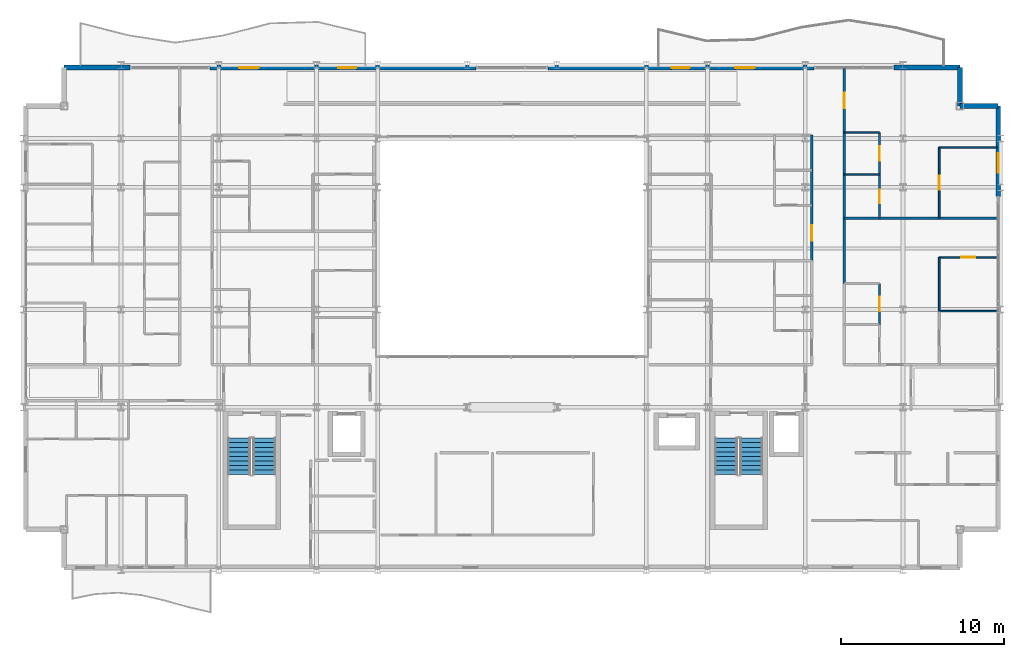
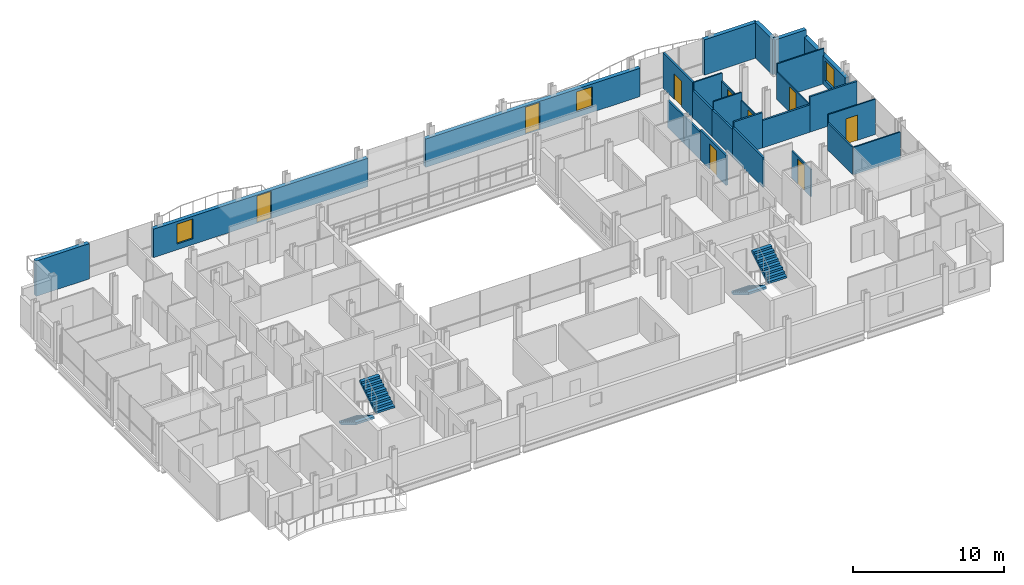
# One storey, part 36 of 40: 27 walls, 9 doors, 4 stair flights, 3 windows, 12 openings, 2 elements without a shape of their own.
"""IFC4 building model written with IfcOpenShell, lengths in metres."""

from ifc_helpers import new_model, si_unit, direction, frame, frame_2d, origin, place, context, subcontext, project, spatial, polyline, rectangle, outline, extrude, material, layer, layer_set, type_object, element, fill, aggregate, save


model = new_model("IFC4")

# Units and contexts
model_context = context("Model", 3, precision=1e-05, world=origin(), true_north=direction((0.0, 1.0)))
body_context = subcontext(model_context, "Body", "Model", "MODEL_VIEW")
ifc_project = project(units=[si_unit("LENGTHUNIT", "METRE"), si_unit("AREAUNIT", "SQUARE_METRE"), si_unit("VOLUMEUNIT", "CUBIC_METRE"), si_unit("PLANEANGLEUNIT", "RADIAN"), si_unit("MASSUNIT", "GRAM", prefix="KILO")], contexts=[model_context])

# Site, building, storey
site_placement = place(None, origin())
site = spatial("IfcSite", under=ifc_project, at=site_placement, CompositionType="ELEMENT")
building_placement = place(site_placement, origin())
building = spatial("IfcBuilding", under=site, at=building_placement, Name="Brevholm Reach", CompositionType="ELEMENT")
storey_placement = place(building_placement, frame((0.0, 0.0, 131.39990234375)))
storey = spatial("IfcBuildingStorey", under=building, at=storey_placement, Name="L39", CompositionType="ELEMENT", Elevation=131.39990234375)

# Walls
ifc_material_1 = material(Name="Concrete C40/50", Category="concrete")
ifc_layer_1 = layer(ifc_material_1, 0.300048828125)
ifc_layer_set_1 = layer_set([ifc_layer_1], Name="Concrete C40/50")
wall_type_1 = type_object("IfcWallType", Name="WAL-EXT-300", PredefinedType="STANDARD", material=ifc_layer_set_1)
for number, where, z_axis, x_axis, name in (
    (1, (59.85009765625, 28.5, 0.0), (0.0, 0.0, 1.0), (-1.0, 0.0, 0.0), "L39 Facade Wall WAL-L39-CNE1"),
    (2, (57.5, 28.5, 0.0), (0.0, 0.0, 1.0), (0.0, 1.0, 0.0), "L39 Facade Wall WAL-L39-CNE2"),
):
    element("IfcWall", number, at=place(storey_placement, frame(where, z_axis=z_axis, x_axis=x_axis)), inside=storey, type_object=wall_type_1, Name=name, PredefinedType="STANDARD", context=body_context, shape_type="SweptSolid", body=[
        extrude(rectangle(XDim=2.35009765625, YDim=0.300048828125, at=frame_2d((1.175048828125, 0.0))), origin(), (0.0, 0.0, 1.0), 2.85009765625),
    ])

# Wall, opening, window
wall_1_placement = place(storey_placement, frame((59.85009765625, 22.949951171875, 0.0), z_axis=(0.0, 0.0, 1.0), x_axis=(0.0, 1.0, 0.0)))
wall_1 = element("IfcWall", 3, at=wall_1_placement, inside=storey, type_object=wall_type_1, Name="L39 Facade Wall WAL-L39-E-N", PredefinedType="STANDARD", context=body_context, shape_type="SweptSolid", body=[
    extrude(rectangle(XDim=5.550048828125, YDim=0.300048828125, at=frame_2d((2.77490234375, 0.0))), origin(), (0.0, 0.0, 1.0), 2.28564453125),
])
opening_1_placement = place(wall_1_placement, frame((1.449951171875, 0.0, 0.465087890625)))
opening_1 = element("IfcOpeningElement", 4, at=opening_1_placement, cuts=wall_1, Name="Opening WN-08", PredefinedType="OPENING", context=body_context, shape_type="SweptSolid", body=[
    extrude(rectangle(XDim=1.199951171875, YDim=1.60009765625, at=frame_2d((0.60009765625, 0.800048828125))), frame((0.0, 0.159912109375, 0.0), z_axis=(0.0, -1.0, 0.0), x_axis=(1.0, 0.0, 0.0)), (0.0, 0.0, 1.0), 0.320068359375),
])
ifc_material_2 = material(Name="Dark Anodised Aluminium and Solar-Control IGU Glass", Category="aluminium")
window_type = type_object("IfcWindowType", Name="WIN-RES-1200", PartitioningType="SINGLE_PANEL", PredefinedType="WINDOW", material=ifc_material_2)
window_1_placement = place(opening_1_placement, origin())
window_1 = element("IfcWindow", 5, at=window_1_placement, inside=storey, type_object=window_type, Name="L39 Window WIN-L39-EN-1", OverallHeight=1.60009765625, OverallWidth=1.199951171875, PartitioningType="SINGLE_PANEL", PredefinedType="WINDOW", context=body_context, shape_type="SweptSolid", body=[
    extrude(rectangle(XDim=1.199951171875, YDim=1.60009765625, at=frame_2d((0.60009765625, 0.800048828125))), frame((0.0, 0.030029296875, 0.0), z_axis=(0.0, -1.0, 0.0), x_axis=(1.0, 0.0, 0.0)), (0.0, 0.0, 1.0), 0.06005859375),
])
fill(opening_1, window_1)

# Walls
for number, where, z_axis, x_axis, name in (
    (6, (2.5, 30.85009765625, 0.0), (0.0, 0.0, 1.0), (1.0, 0.0, 0.0), "L39 Facade Wall WAL-L39-NP-W0"),
    (7, (53.449951171875, 30.85009765625, 0.0), (0.0, 0.0, 1.0), (1.0, 0.0, 0.0), "L39 Facade Wall WAL-L39-NP-E0"),
):
    element("IfcWall", number, at=place(storey_placement, frame(where, z_axis=z_axis, x_axis=x_axis)), inside=storey, type_object=wall_type_1, Name=name, PredefinedType="STANDARD", context=body_context, shape_type="SweptSolid", body=[
        extrude(rectangle(XDim=4.050048828125, YDim=0.300048828125, at=frame_2d((2.02490234375, 0.0))), origin(), (0.0, 0.0, 1.0), 2.85009765625),
    ])

# Wall, openings, door, window
wall_2_placement = place(storey_placement, frame((11.449951171875, 30.85009765625, 0.0), z_axis=(0.0, 0.0, 1.0), x_axis=(1.0, 0.0, 0.0)))
wall_2 = element("IfcWall", 8, at=wall_2_placement, inside=storey, type_object=wall_type_1, Name="L39 Facade Wall WAL-L39-NP-WL", PredefinedType="STANDARD", context=body_context, shape_type="SweptSolid", body=[
    extrude(rectangle(XDim=16.35009765625, YDim=0.300048828125, at=frame_2d((8.175048828125, 0.0))), origin(), (0.0, 0.0, 1.0), 2.28564453125),
])
opening_2_placement = place(wall_2_placement, frame((7.89794921875, 0.0, 0.0)))
opening_2 = element("IfcOpeningElement", 9, at=opening_2_placement, cuts=wall_2, Name="Opening BD-01", PredefinedType="OPENING", context=body_context, shape_type="SweptSolid", body=[
    extrude(rectangle(XDim=1.10009765625, YDim=2.199951171875, at=frame_2d((0.550048828125, 1.10009765625))), frame((0.0, 0.159912109375, 0.0), z_axis=(0.0, -1.0, 0.0), x_axis=(1.0, 0.0, 0.0)), (0.0, 0.0, 1.0), 0.320068359375),
])
opening_3_placement = place(wall_2_placement, frame((1.800048828125, 0.0, 0.465087890625)))
opening_3 = element("IfcOpeningElement", 10, at=opening_3_placement, cuts=wall_2, Name="Opening WN-08", PredefinedType="OPENING", context=body_context, shape_type="SweptSolid", body=[
    extrude(rectangle(XDim=1.199951171875, YDim=1.60009765625, at=frame_2d((0.60009765625, 0.800048828125))), frame((0.0, 0.159912109375, 0.0), z_axis=(0.0, -1.0, 0.0), x_axis=(1.0, 0.0, 0.0)), (0.0, 0.0, 1.0), 0.320068359375),
])
ifc_material_3 = material(Name="Dark Anodised Aluminium and Triple-Glazed Glass", Category="aluminium")
door_type_1 = type_object("IfcDoorType", Name="DOR-BALC-1100", OperationType="NOTDEFINED", PredefinedType="DOOR", material=ifc_material_3)
door_1_placement = place(opening_2_placement, origin())
door_1 = element("IfcDoor", 11, at=door_1_placement, inside=storey, type_object=door_type_1, Name="L39 Exterior Door DOR-L39-BL-NW", OperationType="SINGLE_SWING_LEFT", OverallHeight=2.199951171875, OverallWidth=1.10009765625, PredefinedType="DOOR", context=body_context, shape_type="SweptSolid", body=[
    extrude(rectangle(XDim=1.10009765625, YDim=2.199951171875, at=frame_2d((0.550048828125, 1.10009765625))), frame((0.0, 0.02490234375, 0.0), z_axis=(0.0, -1.0, 0.0), x_axis=(1.0, 0.0, 0.0)), (0.0, 0.0, 1.0), 0.050048828125),
])
fill(opening_2, door_1)
window_2_placement = place(opening_3_placement, origin())
window_2 = element("IfcWindow", 12, at=window_2_placement, inside=storey, type_object=window_type, Name="L39 Window WIN-L39-NP-WL1", OverallHeight=1.60009765625, OverallWidth=1.199951171875, PartitioningType="SINGLE_PANEL", PredefinedType="WINDOW", context=body_context, shape_type="SweptSolid", body=[
    extrude(rectangle(XDim=1.199951171875, YDim=1.60009765625, at=frame_2d((0.60009765625, 0.800048828125))), frame((0.0, 0.030029296875, 0.0), z_axis=(0.0, -1.0, 0.0), x_axis=(1.0, 0.0, 0.0)), (0.0, 0.0, 1.0), 0.06005859375),
])
fill(opening_3, window_2)

wall_3_placement = place(storey_placement, frame((32.199951171875, 30.85009765625, 0.0), z_axis=(0.0, 0.0, 1.0), x_axis=(1.0, 0.0, 0.0)))
wall_3 = element("IfcWall", 13, at=wall_3_placement, inside=storey, type_object=wall_type_1, Name="L39 Facade Wall WAL-L39-NP-ER", PredefinedType="STANDARD", context=body_context, shape_type="SweptSolid", body=[
    extrude(rectangle(XDim=16.35009765625, YDim=0.300048828125, at=frame_2d((8.175048828125, 0.0))), origin(), (0.0, 0.0, 1.0), 2.28564453125),
])
opening_4_placement = place(wall_3_placement, frame((7.60009765625, 0.0, 0.0)))
opening_4 = element("IfcOpeningElement", 14, at=opening_4_placement, cuts=wall_3, Name="Opening BD-01", PredefinedType="OPENING", context=body_context, shape_type="SweptSolid", body=[
    extrude(rectangle(XDim=1.10009765625, YDim=2.199951171875, at=frame_2d((0.550048828125, 1.10009765625))), frame((0.0, 0.159912109375, 0.0), z_axis=(0.0, -1.0, 0.0), x_axis=(1.0, 0.0, 0.0)), (0.0, 0.0, 1.0), 0.320068359375),
])
opening_5_placement = place(wall_3_placement, frame((11.5, 0.0, 0.465087890625)))
opening_5 = element("IfcOpeningElement", 15, at=opening_5_placement, cuts=wall_3, Name="Opening WN-08", PredefinedType="OPENING", context=body_context, shape_type="SweptSolid", body=[
    extrude(rectangle(XDim=1.199951171875, YDim=1.60009765625, at=frame_2d((0.60009765625, 0.800048828125))), frame((0.0, 0.159912109375, 0.0), z_axis=(0.0, -1.0, 0.0), x_axis=(1.0, 0.0, 0.0)), (0.0, 0.0, 1.0), 0.320068359375),
])
door_2_placement = place(opening_4_placement, origin())
door_2 = element("IfcDoor", 16, at=door_2_placement, inside=storey, type_object=door_type_1, Name="L39 Exterior Door DOR-L39-BL-NE", OperationType="SINGLE_SWING_RIGHT", OverallHeight=2.199951171875, OverallWidth=1.10009765625, PredefinedType="DOOR", context=body_context, shape_type="SweptSolid", body=[
    extrude(rectangle(XDim=1.10009765625, YDim=2.199951171875, at=frame_2d((0.550048828125, 1.10009765625))), frame((0.0, 0.02490234375, 0.0), z_axis=(0.0, -1.0, 0.0), x_axis=(1.0, 0.0, 0.0)), (0.0, 0.0, 1.0), 0.050048828125),
])
fill(opening_4, door_2)
window_3_placement = place(opening_5_placement, origin())
window_3 = element("IfcWindow", 17, at=window_3_placement, inside=storey, type_object=window_type, Name="L39 Window WIN-L39-NP-ER1", OverallHeight=1.60009765625, OverallWidth=1.199951171875, PartitioningType="SINGLE_PANEL", PredefinedType="WINDOW", context=body_context, shape_type="SweptSolid", body=[
    extrude(rectangle(XDim=1.199951171875, YDim=1.60009765625, at=frame_2d((0.60009765625, 0.800048828125))), frame((0.0, 0.030029296875, 0.0), z_axis=(0.0, -1.0, 0.0), x_axis=(1.0, 0.0, 0.0)), (0.0, 0.0, 1.0), 0.06005859375),
])
fill(opening_5, window_3)

# Wall, opening, door
ifc_material_4 = material(Name="Moisture-Resistant Acoustic Gypsum Stud Partition 100 mm", Category="gypsum")
ifc_layer_2 = layer(ifc_material_4, 0.10009765625)
ifc_layer_set_2 = layer_set([ifc_layer_2], Name="Moisture-Resistant Acoustic Gypsum Stud Partition 100 mm")
wall_type_2 = type_object("IfcWallType", Name="WAL-PRT-100", PredefinedType="PARTITIONING", material=ifc_layer_set_2)
wall_4_placement = place(storey_placement, frame((52.56201171875, 15.073974609375, 0.0), z_axis=(0.0, 0.0, 1.0), x_axis=(0.0, 1.0, 0.0)))
wall_4 = element("IfcWall", 18, at=wall_4_placement, inside=storey, type_object=wall_type_2, Name="L39 Internal Partition 141", PredefinedType="PARTITIONING", context=body_context, shape_type="SweptSolid", body=[
    extrude(rectangle(XDim=2.51611328125, YDim=0.10009765625, at=frame_2d((1.258056640625, 0.0))), origin(), (0.0, 0.0, 1.0), 2.204833984375),
])
opening_6_placement = place(wall_4_placement, frame((0.818115234375, 0.0, 0.0)))
opening_6 = element("IfcOpeningElement", 19, at=opening_6_placement, cuts=wall_4, Name="Opening ID-01", PredefinedType="OPENING", context=body_context, shape_type="SweptSolid", body=[
    extrude(rectangle(XDim=0.8798828125, YDim=2.0400390625, at=frame_2d((0.43994140625, 1.02001953125))), frame((0.0, 0.06005859375, 0.0), z_axis=(0.0, -1.0, 0.0), x_axis=(1.0, 0.0, 0.0)), (0.0, 0.0, 1.0), 0.1201171875),
])
ifc_material_5 = material(Name="Lacquered Ash Solid-Core Acoustic Internal Door", Category="timber")
door_type_2 = type_object("IfcDoorType", Name="DOR-INT-880", OperationType="NOTDEFINED", PredefinedType="DOOR", material=ifc_material_5)
door_3_placement = place(opening_6_placement, origin())
door_3 = element("IfcDoor", 20, at=door_3_placement, inside=storey, type_object=door_type_2, Name="L39 Internal Door 055", OperationType="SINGLE_SWING_RIGHT", OverallHeight=2.0400390625, OverallWidth=0.8798828125, PredefinedType="DOOR", context=body_context, shape_type="SweptSolid", body=[
    extrude(rectangle(XDim=0.8798828125, YDim=2.0400390625, at=frame_2d((0.43994140625, 1.02001953125))), frame((0.0, 0.02490234375, 0.0), z_axis=(0.0, -1.0, 0.0), x_axis=(1.0, 0.0, 0.0)), (0.0, 0.0, 1.0), 0.050048828125),
])
fill(opening_6, door_3)

# Wall
wall_5_placement = place(storey_placement, frame((56.22802734375, 15.89990234375, 0.0), z_axis=(0.0, 0.0, 1.0), x_axis=(1.0, 0.0, 0.0)))
element("IfcWall", 21, at=wall_5_placement, inside=storey, type_object=wall_type_2, Name="L39 Internal Partition 143", PredefinedType="PARTITIONING", context=body_context, shape_type="SweptSolid", body=[
    extrude(rectangle(XDim=3.572021484375, YDim=0.10009765625, at=frame_2d((1.7861328125, 0.0))), origin(), (0.0, 0.0, 1.0), 2.204833984375),
])

# Wall, opening, door
wall_6_placement = place(storey_placement, frame((56.22802734375, 19.199951171875, 0.0), z_axis=(0.0, 0.0, 1.0), x_axis=(1.0, 0.0, 0.0)))
wall_6 = element("IfcWall", 22, at=wall_6_placement, inside=storey, type_object=wall_type_2, Name="L39 Internal Partition 145", PredefinedType="PARTITIONING", context=body_context, shape_type="SweptSolid", body=[
    extrude(rectangle(XDim=3.572021484375, YDim=0.10009765625, at=frame_2d((1.7861328125, 0.0))), origin(), (0.0, 0.0, 1.0), 2.85009765625),
])
opening_7_placement = place(wall_6_placement, frame((1.345947265625, 0.0, 0.0)))
opening_7 = element("IfcOpeningElement", 23, at=opening_7_placement, cuts=wall_6, Name="Opening ID-01", PredefinedType="OPENING", context=body_context, shape_type="SweptSolid", body=[
    extrude(rectangle(XDim=0.8798828125, YDim=2.0400390625, at=frame_2d((0.43994140625, 1.02001953125))), frame((0.0, 0.06005859375, 0.0), z_axis=(0.0, -1.0, 0.0), x_axis=(1.0, 0.0, 0.0)), (0.0, 0.0, 1.0), 0.1201171875),
])
door_4_placement = place(opening_7_placement, origin())
door_4 = element("IfcDoor", 24, at=door_4_placement, inside=storey, type_object=door_type_2, Name="L39 Internal Door 057", OperationType="SINGLE_SWING_RIGHT", OverallHeight=2.0400390625, OverallWidth=0.8798828125, PredefinedType="DOOR", context=body_context, shape_type="SweptSolid", body=[
    extrude(rectangle(XDim=0.8798828125, YDim=2.0400390625, at=frame_2d((0.43994140625, 1.02001953125))), frame((0.0, 0.02490234375, 0.0), z_axis=(0.0, -1.0, 0.0), x_axis=(1.0, 0.0, 0.0)), (0.0, 0.0, 1.0), 0.050048828125),
])
fill(opening_7, door_4)

# Walls
wall_7_placement = place(storey_placement, frame((56.22802734375, 15.904052734375, 0.0), z_axis=(0.0, 0.0, 1.0), x_axis=(0.0, 1.0, 0.0)))
element("IfcWall", 25, at=wall_7_placement, inside=storey, type_object=wall_type_2, Name="L39 Internal Partition 146", PredefinedType="PARTITIONING", context=body_context, shape_type="SweptSolid", body=[
    extrude(rectangle(XDim=3.2958984375, YDim=0.10009765625, at=frame_2d((1.64794921875, 0.0))), origin(), (0.0, 0.0, 1.0), 2.204833984375),
])
wall_8_placement = place(storey_placement, frame((50.404052734375, 24.283935546875, 0.0), z_axis=(0.0, 0.0, 1.0), x_axis=(1.0, 0.0, 0.0)))
element("IfcWall", 26, at=wall_8_placement, inside=storey, type_object=wall_type_2, Name="L39 Internal Partition 150", PredefinedType="PARTITIONING", context=body_context, shape_type="SweptSolid", body=[
    extrude(rectangle(XDim=2.157958984375, YDim=0.10009765625, at=frame_2d((1.0791015625, 0.0))), origin(), (0.0, 0.0, 1.0), 2.85009765625),
])

# Wall, opening, door
wall_9_placement = place(storey_placement, frame((52.56201171875, 21.60400390625, 0.0), z_axis=(0.0, 0.0, 1.0), x_axis=(0.0, 1.0, 0.0)))
wall_9 = element("IfcWall", 27, at=wall_9_placement, inside=storey, type_object=wall_type_2, Name="L39 Internal Partition 151", PredefinedType="PARTITIONING", context=body_context, shape_type="SweptSolid", body=[
    extrude(rectangle(XDim=2.679931640625, YDim=0.10009765625, at=frame_2d((1.33984375, 0.0))), origin(), (0.0, 0.0, 1.0), 2.204833984375),
])
opening_8_placement = place(wall_9_placement, frame((0.929931640625, 0.0, 0.0)))
opening_8 = element("IfcOpeningElement", 28, at=opening_8_placement, cuts=wall_9, Name="Opening ID-03", PredefinedType="OPENING", context=body_context, shape_type="SweptSolid", body=[
    extrude(rectangle(XDim=0.820068359375, YDim=2.02001953125, at=frame_2d((0.41015625, 1.010009765625))), frame((0.0, 0.06005859375, 0.0), z_axis=(0.0, -1.0, 0.0), x_axis=(1.0, 0.0, 0.0)), (0.0, 0.0, 1.0), 0.1201171875),
])
ifc_material_6 = material(Name="Moisture-Resistant Painted Timber Internal Bathroom Door", Category="wood")
door_type_3 = type_object("IfcDoorType", Name="DOR-BATH-820", OperationType="NOTDEFINED", PredefinedType="DOOR", material=ifc_material_6)
door_5_placement = place(opening_8_placement, origin())
door_5 = element("IfcDoor", 29, at=door_5_placement, inside=storey, type_object=door_type_3, Name="L39 Internal Door 058", OperationType="SINGLE_SWING_LEFT", OverallHeight=2.02001953125, OverallWidth=0.820068359375, PredefinedType="DOOR", context=body_context, shape_type="SweptSolid", body=[
    extrude(rectangle(XDim=0.820068359375, YDim=2.02001953125, at=frame_2d((0.41015625, 1.010009765625))), frame((0.0, 0.02490234375, 0.0), z_axis=(0.0, -1.0, 0.0), x_axis=(1.0, 0.0, 0.0)), (0.0, 0.0, 1.0), 0.050048828125),
])
fill(opening_8, door_5)

wall_10_placement = place(storey_placement, frame((52.56201171875, 24.2880859375, 0.0), z_axis=(0.0, 0.0, 1.0), x_axis=(0.0, 1.0, 0.0)))
wall_10 = element("IfcWall", 30, at=wall_10_placement, inside=storey, type_object=wall_type_2, Name="L39 Internal Partition 152", PredefinedType="PARTITIONING", context=body_context, shape_type="SweptSolid", body=[
    extrude(rectangle(XDim=2.572021484375, YDim=0.10009765625, at=frame_2d((1.2861328125, 0.0))), origin(), (0.0, 0.0, 1.0), 2.204833984375),
])
opening_9_placement = place(wall_10_placement, frame((0.845947265625, 0.0, 0.0)))
opening_9 = element("IfcOpeningElement", 31, at=opening_9_placement, cuts=wall_10, Name="Opening ID-01", PredefinedType="OPENING", context=body_context, shape_type="SweptSolid", body=[
    extrude(rectangle(XDim=0.8798828125, YDim=2.0400390625, at=frame_2d((0.43994140625, 1.02001953125))), frame((0.0, 0.06005859375, 0.0), z_axis=(0.0, -1.0, 0.0), x_axis=(1.0, 0.0, 0.0)), (0.0, 0.0, 1.0), 0.1201171875),
])
door_6_placement = place(opening_9_placement, origin())
door_6 = element("IfcDoor", 32, at=door_6_placement, inside=storey, type_object=door_type_2, Name="L39 Internal Door 059", OperationType="SINGLE_SWING_RIGHT", OverallHeight=2.0400390625, OverallWidth=0.8798828125, PredefinedType="DOOR", context=body_context, shape_type="SweptSolid", body=[
    extrude(rectangle(XDim=0.8798828125, YDim=2.0400390625, at=frame_2d((0.43994140625, 1.02001953125))), frame((0.0, 0.02490234375, 0.0), z_axis=(0.0, -1.0, 0.0), x_axis=(1.0, 0.0, 0.0)), (0.0, 0.0, 1.0), 0.050048828125),
])
fill(opening_9, door_6)

# Walls
wall_11_placement = place(storey_placement, frame((50.404052734375, 26.860107421875, 0.0), z_axis=(0.0, 0.0, 1.0), x_axis=(1.0, 0.0, 0.0)))
element("IfcWall", 33, at=wall_11_placement, inside=storey, type_object=wall_type_2, Name="L39 Internal Partition 153", PredefinedType="PARTITIONING", context=body_context, shape_type="SweptSolid", body=[
    extrude(rectangle(XDim=2.157958984375, YDim=0.10009765625, at=frame_2d((1.0791015625, 0.0))), origin(), (0.0, 0.0, 1.0), 2.85009765625),
])
wall_12_placement = place(storey_placement, frame((56.22802734375, 25.949951171875, 0.0), z_axis=(0.0, 0.0, 1.0), x_axis=(1.0, 0.0, 0.0)))
element("IfcWall", 34, at=wall_12_placement, inside=storey, type_object=wall_type_2, Name="L39 Internal Partition 154", PredefinedType="PARTITIONING", context=body_context, shape_type="SweptSolid", body=[
    extrude(rectangle(XDim=3.572021484375, YDim=0.10009765625, at=frame_2d((1.7861328125, 0.0))), origin(), (0.0, 0.0, 1.0), 2.85009765625),
])

# Wall, opening, door
wall_13_placement = place(storey_placement, frame((56.22802734375, 21.60400390625, 0.0), z_axis=(0.0, 0.0, 1.0), x_axis=(0.0, 1.0, 0.0)))
wall_13 = element("IfcWall", 35, at=wall_13_placement, inside=storey, type_object=wall_type_2, Name="L39 Internal Partition 155", PredefinedType="PARTITIONING", context=body_context, shape_type="SweptSolid", body=[
    extrude(rectangle(XDim=4.345947265625, YDim=0.10009765625, at=frame_2d((2.1728515625, 0.0))), origin(), (0.0, 0.0, 1.0), 2.204833984375),
])
opening_10_placement = place(wall_13_placement, frame((1.73291015625, 0.0, 0.0)))
opening_10 = element("IfcOpeningElement", 36, at=opening_10_placement, cuts=wall_13, Name="Opening ID-01", PredefinedType="OPENING", context=body_context, shape_type="SweptSolid", body=[
    extrude(rectangle(XDim=0.8798828125, YDim=2.0400390625, at=frame_2d((0.43994140625, 1.02001953125))), frame((0.0, 0.06005859375, 0.0), z_axis=(0.0, -1.0, 0.0), x_axis=(1.0, 0.0, 0.0)), (0.0, 0.0, 1.0), 0.1201171875),
])
door_7_placement = place(opening_10_placement, origin())
door_7 = element("IfcDoor", 37, at=door_7_placement, inside=storey, type_object=door_type_2, Name="L39 Internal Door 060", OperationType="SINGLE_SWING_LEFT", OverallHeight=2.0400390625, OverallWidth=0.8798828125, PredefinedType="DOOR", context=body_context, shape_type="SweptSolid", body=[
    extrude(rectangle(XDim=0.8798828125, YDim=2.0400390625, at=frame_2d((0.43994140625, 1.02001953125))), frame((0.0, 0.02490234375, 0.0), z_axis=(0.0, -1.0, 0.0), x_axis=(1.0, 0.0, 0.0)), (0.0, 0.0, 1.0), 0.050048828125),
])
fill(opening_10, door_7)

# Walls
ifc_material_7 = material(Name="Twin-Stud Acoustic Fire-Rated Gypsum Partition 140 mm", Category="gypsum")
ifc_layer_3 = layer(ifc_material_7, 0.139892578125)
ifc_layer_set_3 = layer_set([ifc_layer_3], Name="Twin-Stud Acoustic Fire-Rated Gypsum Partition 140 mm")
wall_type_3 = type_object("IfcWallType", Name="WAL-PRT-140", PredefinedType="PARTITIONING", material=ifc_layer_set_3)
wall_14_placement = place(storey_placement, frame((48.39990234375, 24.538818359375, 0.0), z_axis=(0.0, 0.0, 1.0), x_axis=(0.0, 1.0, 0.0)))
element("IfcWall", 38, at=wall_14_placement, inside=storey, type_object=wall_type_3, Name="L39 Internal Partition 050", PredefinedType="PARTITIONING", context=body_context, shape_type="SweptSolid", body=[
    extrude(rectangle(XDim=2.16845703125, YDim=0.139892578125, at=frame_2d((1.084228515625, 0.0))), origin(), (0.0, 0.0, 1.0), 2.204833984375),
])
wall_15_placement = place(storey_placement, frame((48.39990234375, 22.3828125, 0.0), z_axis=(0.0, 0.0, 1.0), x_axis=(0.0, 1.0, 0.0)))
element("IfcWall", 39, at=wall_15_placement, inside=storey, type_object=wall_type_3, Name="L39 Internal Partition 051", PredefinedType="PARTITIONING", context=body_context, shape_type="SweptSolid", body=[
    extrude(rectangle(XDim=2.174560546875, YDim=0.139892578125, at=frame_2d((1.08740234375, 0.0))), origin(), (0.0, 0.0, 1.0), 2.204833984375),
])

# Wall, opening, door
wall_16_placement = place(storey_placement, frame((48.39990234375, 18.99267578125, 0.0), z_axis=(0.0, 0.0, 1.0), x_axis=(0.0, 1.0, 0.0)))
wall_16 = element("IfcWall", 40, at=wall_16_placement, inside=storey, type_object=wall_type_3, Name="L39 Internal Partition 052", PredefinedType="PARTITIONING", context=body_context, shape_type="SweptSolid", body=[
    extrude(rectangle(XDim=3.40869140625, YDim=0.139892578125, at=frame_2d((1.704345703125, 0.0))), origin(), (0.0, 0.0, 1.0), 2.418701171875),
])
opening_11_placement = place(wall_16_placement, frame((1.229248046875, 0.0, 0.0)))
opening_11 = element("IfcOpeningElement", 41, at=opening_11_placement, cuts=wall_16, Name="Opening ID-30", PredefinedType="OPENING", context=body_context, shape_type="SweptSolid", body=[
    extrude(rectangle(XDim=0.949951171875, YDim=2.050048828125, at=frame_2d((0.47509765625, 1.02490234375))), frame((0.0, 0.079833984375, 0.0), z_axis=(0.0, -1.0, 0.0), x_axis=(1.0, 0.0, 0.0)), (0.0, 0.0, 1.0), 0.159912109375),
])
ifc_material_8 = material(Name="European Oak Veneered Solid-Core Fire Entrance Door", Category="timber")
door_type_4 = type_object("IfcDoorType", Name="DOR-FLT-FD30S", OperationType="NOTDEFINED", PredefinedType="DOOR", material=ifc_material_8)
door_8_placement = place(opening_11_placement, origin())
door_8 = element("IfcDoor", 42, at=door_8_placement, inside=storey, type_object=door_type_4, Name="L39 Internal Door 021", OperationType="SINGLE_SWING_RIGHT", OverallHeight=2.050048828125, OverallWidth=0.949951171875, PredefinedType="DOOR", context=body_context, shape_type="SweptSolid", body=[
    extrude(rectangle(XDim=0.949951171875, YDim=2.050048828125, at=frame_2d((0.47509765625, 1.02490234375))), frame((0.0, 0.02490234375, 0.0), z_axis=(0.0, -1.0, 0.0), x_axis=(1.0, 0.0, 0.0)), (0.0, 0.0, 1.0), 0.050048828125),
])
fill(opening_11, door_8)

# Walls
wall_17_placement = place(storey_placement, frame((50.39990234375, 17.582763671875, 0.0), z_axis=(0.0, 0.0, 1.0), x_axis=(0.0, 1.0, 0.0)))
element("IfcWall", 43, at=wall_17_placement, inside=storey, type_object=wall_type_3, Name="L39 Internal Partition 055", PredefinedType="PARTITIONING", context=body_context, shape_type="SweptSolid", body=[
    extrude(rectangle(XDim=4.028564453125, YDim=0.139892578125, at=frame_2d((2.01416015625, 0.0))), origin(), (0.0, 0.0, 1.0), 2.418701171875),
])
wall_18_placement = place(storey_placement, frame((50.39990234375, 21.5927734375, 0.0), z_axis=(0.0, 0.0, 1.0), x_axis=(0.0, 1.0, 0.0)))
element("IfcWall", 44, at=wall_18_placement, inside=storey, type_object=wall_type_3, Name="L39 Internal Partition 056", PredefinedType="PARTITIONING", context=body_context, shape_type="SweptSolid", body=[
    extrude(rectangle(XDim=2.70263671875, YDim=0.139892578125, at=frame_2d((1.351318359375, 0.0))), origin(), (0.0, 0.0, 1.0), 2.204833984375),
])
wall_19_placement = place(storey_placement, frame((50.39990234375, 24.276611328125, 0.0), z_axis=(0.0, 0.0, 1.0), x_axis=(0.0, 1.0, 0.0)))
element("IfcWall", 45, at=wall_19_placement, inside=storey, type_object=wall_type_3, Name="L39 Internal Partition 057", PredefinedType="PARTITIONING", context=body_context, shape_type="SweptSolid", body=[
    extrude(rectangle(XDim=2.5947265625, YDim=0.139892578125, at=frame_2d((1.29736328125, 0.0))), origin(), (0.0, 0.0, 1.0), 2.204833984375),
])

# Wall, opening, door
wall_20_placement = place(storey_placement, frame((50.39990234375, 26.852783203125, 0.0), z_axis=(0.0, 0.0, 1.0), x_axis=(0.0, 1.0, 0.0)))
wall_20 = element("IfcWall", 46, at=wall_20_placement, inside=storey, type_object=wall_type_3, Name="L39 Internal Partition 058", PredefinedType="PARTITIONING", context=body_context, shape_type="SweptSolid", body=[
    extrude(rectangle(XDim=3.947265625, YDim=0.139892578125, at=frame_2d((1.9736328125, 0.0))), origin(), (0.0, 0.0, 1.0), 2.85009765625),
])
opening_12_placement = place(wall_20_placement, frame((1.498779296875, 0.0, 0.0)))
opening_12 = element("IfcOpeningElement", 47, at=opening_12_placement, cuts=wall_20, Name="Opening ID-30", PredefinedType="OPENING", context=body_context, shape_type="SweptSolid", body=[
    extrude(rectangle(XDim=0.949951171875, YDim=2.050048828125, at=frame_2d((0.47509765625, 1.02490234375))), frame((0.0, 0.079833984375, 0.0), z_axis=(0.0, -1.0, 0.0), x_axis=(1.0, 0.0, 0.0)), (0.0, 0.0, 1.0), 0.159912109375),
])
door_9_placement = place(opening_12_placement, origin())
door_9 = element("IfcDoor", 48, at=door_9_placement, inside=storey, type_object=door_type_4, Name="L39 Internal Door 022", OperationType="SINGLE_SWING_LEFT", OverallHeight=2.050048828125, OverallWidth=0.949951171875, PredefinedType="DOOR", context=body_context, shape_type="SweptSolid", body=[
    extrude(rectangle(XDim=0.949951171875, YDim=2.050048828125, at=frame_2d((0.47509765625, 1.02490234375))), frame((0.0, 0.02490234375, 0.0), z_axis=(0.0, -1.0, 0.0), x_axis=(1.0, 0.0, 0.0)), (0.0, 0.0, 1.0), 0.050048828125),
])
fill(opening_12, door_9)

# Walls
wall_21_placement = place(storey_placement, frame((50.404052734375, 21.60009765625, 0.0), z_axis=(0.0, 0.0, 1.0), x_axis=(1.0, 0.0, 0.0)))
element("IfcWall", 49, at=wall_21_placement, inside=storey, type_object=wall_type_3, Name="L39 Internal Partition 147", PredefinedType="PARTITIONING", context=body_context, shape_type="SweptSolid", body=[
    extrude(rectangle(XDim=2.169189453125, YDim=0.139892578125, at=frame_2d((1.08447265625, 0.0))), origin(), (0.0, 0.0, 1.0), 2.85009765625),
])
wall_22_placement = place(storey_placement, frame((56.216796875, 21.60009765625, 0.0), z_axis=(0.0, 0.0, 1.0), x_axis=(1.0, 0.0, 0.0)))
element("IfcWall", 50, at=wall_22_placement, inside=storey, type_object=wall_type_3, Name="L39 Internal Partition 148", PredefinedType="PARTITIONING", context=body_context, shape_type="SweptSolid", body=[
    extrude(rectangle(XDim=3.583251953125, YDim=0.139892578125, at=frame_2d((1.79150390625, 0.0))), origin(), (0.0, 0.0, 1.0), 2.85009765625),
])
wall_23_placement = place(storey_placement, frame((52.5546875, 21.60009765625, 0.0), z_axis=(0.0, 0.0, 1.0), x_axis=(1.0, 0.0, 0.0)))
element("IfcWall", 51, at=wall_23_placement, inside=storey, type_object=wall_type_3, Name="L39 Internal Partition 149", PredefinedType="PARTITIONING", context=body_context, shape_type="SweptSolid", body=[
    extrude(rectangle(XDim=3.6806640625, YDim=0.139892578125, at=frame_2d((1.84033203125, 0.0))), origin(), (0.0, 0.0, 1.0), 2.204833984375),
])

# Stair, stair flights
ifc_material_9 = material(Name="Precast Concrete C40/50", Category="concrete")
stair_type = type_object("IfcStairType", Name="STR-ESC-1400", PredefinedType="DOUBLE_RETURN_STAIR", material=ifc_material_9)
stair_1_placement = place(storey_placement, origin())
stair_1 = element("IfcStair", 52, at=stair_1_placement, inside=storey, type_object=stair_type, Name="L39 ST-1", PredefinedType="DOUBLE_RETURN_STAIR")
ifc_material_10 = material(Name="Precast Concrete C40/50", Category="concrete")
ifc_layer_4 = layer(ifc_material_10, 0.18505859375)
ifc_layer_set_4 = layer_set([ifc_layer_4], Name="Precast Concrete C40/50")
stair_flight_type = type_object("IfcStairFlightType", Name="STF-PRC-185", PredefinedType="STRAIGHT", material=ifc_layer_set_4)
stair_flight_1_placement = place(storey_placement, frame((13.25, 8.10009765625, 0.0), z_axis=(0.0, 0.0, 1.0), x_axis=(0.0, -1.0, 0.0)))
stair_flight_1 = element("IfcStairFlight", 53, at=stair_flight_1_placement, type_object=stair_flight_type, Name="ST-1 flight 1", NumberOfRisers=9, NumberOfTreads=8, PredefinedType="STRAIGHT", RiserHeight=0.172222222, TreadLength=0.28, context=body_context, shape_type="SweptSolid", body=[
    extrude(outline(polyline([(0.0, 0.0), (0.0, 0.172119140625), (0.280029296875, 0.172119140625), (0.280029296875, 0.344482421875), (0.56005859375, 0.344482421875), (0.56005859375, 0.5166015625), (0.840087890625, 0.5166015625), (0.840087890625, 0.68896484375), (1.1201171875, 0.68896484375), (1.1201171875, 0.861083984375), (1.39990234375, 0.861083984375), (1.39990234375, 1.033447265625), (1.679931640625, 1.033447265625), (1.679931640625, 1.20556640625), (1.9599609375, 1.20556640625), (1.9599609375, 1.377685546875), (2.239990234375, 1.377685546875), (2.239990234375, 1.550048828125), (2.239990234375, 1.201904296875), (0.2861328125, 0.0), (0.0, 0.0)])), frame((0.0, 0.699951171875, 0.0), z_axis=(0.0, -1.0, 0.0), x_axis=(1.0, 0.0, 0.0)), (0.0, 0.0, 1.0), 1.39990234375),
])
stair_flight_2_placement = place(storey_placement, frame((14.800048828125, 5.860107421875, 1.550048828125), z_axis=(0.0, 0.0, 1.0), x_axis=(0.0, 1.0, 0.0)))
stair_flight_2 = element("IfcStairFlight", 54, at=stair_flight_2_placement, type_object=stair_flight_type, Name="ST-1 flight 2", NumberOfRisers=9, NumberOfTreads=8, PredefinedType="STRAIGHT", RiserHeight=0.172222222, TreadLength=0.28, context=body_context, shape_type="SweptSolid", body=[
    extrude(outline(polyline([(0.0, 0.0), (0.0, 0.172119140625), (0.280029296875, 0.172119140625), (0.280029296875, 0.344482421875), (0.56005859375, 0.344482421875), (0.56005859375, 0.5166015625), (0.840087890625, 0.5166015625), (0.840087890625, 0.68896484375), (1.1201171875, 0.68896484375), (1.1201171875, 0.861083984375), (1.39990234375, 0.861083984375), (1.39990234375, 1.033447265625), (1.679931640625, 1.033447265625), (1.679931640625, 1.20556640625), (1.9599609375, 1.20556640625), (1.9599609375, 1.377685546875), (2.239990234375, 1.377685546875), (2.239990234375, 1.550048828125), (2.239990234375, 1.201904296875), (0.2861328125, 0.0), (0.0, 0.0)])), frame((0.0, 0.699951171875, 0.0), z_axis=(0.0, -1.0, 0.0), x_axis=(1.0, 0.0, 0.0)), (0.0, 0.0, 1.0), 1.39990234375),
])
aggregate(stair_1, [stair_flight_1, stair_flight_2])

stair_2_placement = place(storey_placement, origin())
stair_2 = element("IfcStair", 55, at=stair_2_placement, inside=storey, type_object=stair_type, Name="L39 ST-2", PredefinedType="DOUBLE_RETURN_STAIR")
stair_flight_3_placement = place(storey_placement, frame((43.14990234375, 8.10009765625, 0.0), z_axis=(0.0, 0.0, 1.0), x_axis=(0.0, -1.0, 0.0)))
stair_flight_3 = element("IfcStairFlight", 56, at=stair_flight_3_placement, type_object=stair_flight_type, Name="ST-2 flight 1", NumberOfRisers=9, NumberOfTreads=8, PredefinedType="STRAIGHT", RiserHeight=0.172222222, TreadLength=0.28, context=body_context, shape_type="SweptSolid", body=[
    extrude(outline(polyline([(0.0, 0.0), (0.0, 0.172119140625), (0.280029296875, 0.172119140625), (0.280029296875, 0.344482421875), (0.56005859375, 0.344482421875), (0.56005859375, 0.5166015625), (0.840087890625, 0.5166015625), (0.840087890625, 0.68896484375), (1.1201171875, 0.68896484375), (1.1201171875, 0.861083984375), (1.39990234375, 0.861083984375), (1.39990234375, 1.033447265625), (1.679931640625, 1.033447265625), (1.679931640625, 1.20556640625), (1.9599609375, 1.20556640625), (1.9599609375, 1.377685546875), (2.239990234375, 1.377685546875), (2.239990234375, 1.550048828125), (2.239990234375, 1.201904296875), (0.2861328125, 0.0), (0.0, 0.0)])), frame((0.0, 0.699951171875, 0.0), z_axis=(0.0, -1.0, 0.0), x_axis=(1.0, 0.0, 0.0)), (0.0, 0.0, 1.0), 1.39990234375),
])
stair_flight_4_placement = place(storey_placement, frame((44.699951171875, 5.860107421875, 1.550048828125), z_axis=(0.0, 0.0, 1.0), x_axis=(0.0, 1.0, 0.0)))
stair_flight_4 = element("IfcStairFlight", 57, at=stair_flight_4_placement, type_object=stair_flight_type, Name="ST-2 flight 2", NumberOfRisers=9, NumberOfTreads=8, PredefinedType="STRAIGHT", RiserHeight=0.172222222, TreadLength=0.28, context=body_context, shape_type="SweptSolid", body=[
    extrude(outline(polyline([(0.0, 0.0), (0.0, 0.172119140625), (0.280029296875, 0.172119140625), (0.280029296875, 0.344482421875), (0.56005859375, 0.344482421875), (0.56005859375, 0.5166015625), (0.840087890625, 0.5166015625), (0.840087890625, 0.68896484375), (1.1201171875, 0.68896484375), (1.1201171875, 0.861083984375), (1.39990234375, 0.861083984375), (1.39990234375, 1.033447265625), (1.679931640625, 1.033447265625), (1.679931640625, 1.20556640625), (1.9599609375, 1.20556640625), (1.9599609375, 1.377685546875), (2.239990234375, 1.377685546875), (2.239990234375, 1.550048828125), (2.239990234375, 1.201904296875), (0.2861328125, 0.0), (0.0, 0.0)])), frame((0.0, 0.699951171875, 0.0), z_axis=(0.0, -1.0, 0.0), x_axis=(1.0, 0.0, 0.0)), (0.0, 0.0, 1.0), 1.39990234375),
])
aggregate(stair_2, [stair_flight_3, stair_flight_4])

save(model, "model.ifc")
